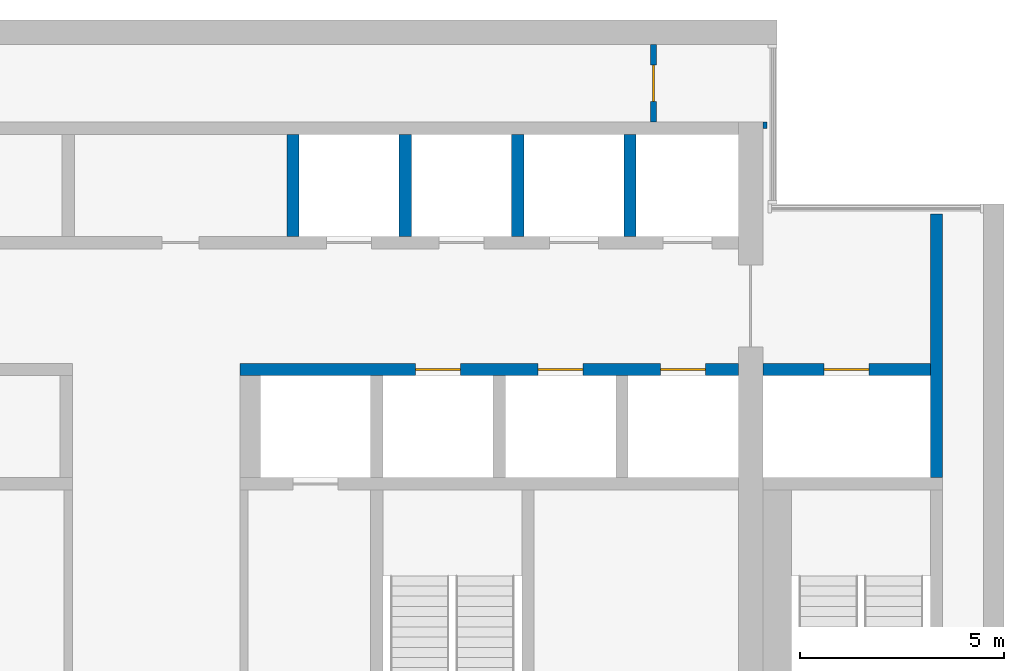
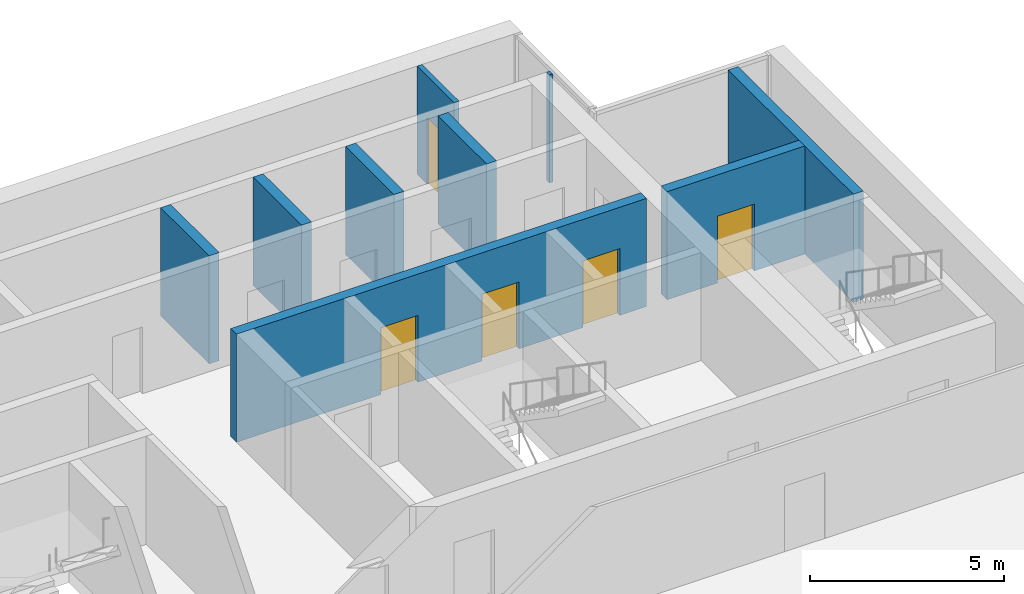
# One storey, part 11 of 14: 9 walls, 5 doors, 5 openings.
"""IFC4 building model written with IfcOpenShell, lengths in metres."""

from ifc_helpers import new_model, si_unit, direction, frame, frame_2d, origin, place, context, subcontext, project, spatial, rectangle, extrude, material, layer, layer_set, type_object, element, fill, save


model = new_model("IFC4")

# Units and contexts
model_context = context("Model", 3, precision=1e-05, world=origin(), true_north=direction((0.0, 1.0)))
body_context = subcontext(model_context, "Body", "Model", "MODEL_VIEW")
ifc_project = project(units=[si_unit("LENGTHUNIT", "METRE"), si_unit("AREAUNIT", "SQUARE_METRE"), si_unit("VOLUMEUNIT", "CUBIC_METRE"), si_unit("PLANEANGLEUNIT", "RADIAN"), si_unit("MASSUNIT", "GRAM", prefix="KILO")], contexts=[model_context])

# Site, building, storey
site_placement = place(None, origin())
site = spatial("IfcSite", under=ifc_project, at=site_placement, CompositionType="ELEMENT")
building_placement = place(site_placement, origin())
building = spatial("IfcBuilding", under=site, at=building_placement, Name="Calvaro Tower", CompositionType="ELEMENT")
storey_placement = place(building_placement, frame((0.0, 0.0, 250.75)))
storey = spatial("IfcBuildingStorey", under=building, at=storey_placement, Name="L63", CompositionType="ELEMENT", Elevation=250.75)

# Wall
ifc_material_1 = material(Name="Blockwork partition", Category="masonry")
ifc_layer_1 = layer(ifc_material_1, 0.10009765625)
ifc_layer_set_1 = layer_set([ifc_layer_1], Name="Blockwork partition")
wall_type_1 = type_object("IfcWallType", Name="Core partition 100 EI 60", PredefinedType="PARTITIONING", material=ifc_layer_set_1)
wall_1_placement = place(storey_placement, frame((60.14990234375, 43.35009765625, 0.0), z_axis=(0.0, 0.0, 1.0), x_axis=(0.0, 1.0, 0.0)))
element("IfcWall", 1, at=wall_1_placement, inside=storey, type_object=wall_type_1, Name="Core partition", PredefinedType="PARTITIONING", context=body_context, shape_type="SweptSolid", body=[
    extrude(rectangle(XDim=0.14990234375, YDim=0.10009765625, at=frame_2d((0.074951171875, 0.0))), origin(), (0.0, 0.0, 1.0), 3.39990234375),
])

# Wall, opening, door
ifc_material_2 = material(Name="Blockwork partition", Category="masonry")
ifc_layer_2 = layer(ifc_material_2, 0.14990234375)
ifc_layer_set_2 = layer_set([ifc_layer_2], Name="Blockwork partition")
wall_type_2 = type_object("IfcWallType", Name="Core partition 150 EI 60", PredefinedType="PARTITIONING", material=ifc_layer_set_2)
wall_2_placement = place(storey_placement, frame((57.425048828125, 45.39990234375, 0.0), z_axis=(0.0, 0.0, 1.0), x_axis=(0.0, -1.0, 0.0)))
wall_2 = element("IfcWall", 2, at=wall_2_placement, inside=storey, type_object=wall_type_2, Name="Core partition", PredefinedType="PARTITIONING", context=body_context, shape_type="SweptSolid", body=[
    extrude(rectangle(XDim=1.89990234375, YDim=0.14990234375, at=frame_2d((0.949951171875, 0.0))), origin(), (0.0, 0.0, 1.0), 3.39990234375),
])
opening_1_placement = place(wall_2_placement, frame((0.5, 0.0, 0.0)))
opening_1 = element("IfcOpeningElement", 3, at=opening_1_placement, cuts=wall_2, Name="Opening RD9C", PredefinedType="OPENING", context=body_context, shape_type="SweptSolid", body=[
    extrude(rectangle(XDim=0.89990234375, YDim=2.10009765625, at=frame_2d((0.449951171875, 1.050048828125))), frame((0.0, 0.0849609375, 0.0), z_axis=(0.0, -1.0, 0.0), x_axis=(1.0, 0.0, 0.0)), (0.0, 0.0, 1.0), 0.169921875),
])
ifc_material_3 = material(Name="Steel door set", Category="steel")
door_type_1 = type_object("IfcDoorType", Name="Room door 900 FD30", OperationType="SINGLE_SWING_LEFT", PredefinedType="DOOR", material=ifc_material_3)
door_1_placement = place(opening_1_placement, origin())
door_1 = element("IfcDoor", 4, at=door_1_placement, inside=storey, type_object=door_type_1, Name="Room door", OperationType="SINGLE_SWING_LEFT", OverallHeight=2.10009765625, OverallWidth=0.89990234375, PredefinedType="DOOR", context=body_context, shape_type="SweptSolid", body=[
    extrude(rectangle(XDim=0.89990234375, YDim=2.10009765625, at=frame_2d((0.449951171875, 1.050048828125))), frame((0.0, 0.02490234375, 0.0), z_axis=(0.0, -1.0, 0.0), x_axis=(1.0, 0.0, 0.0)), (0.0, 0.0, 1.0), 0.050048828125),
])
fill(opening_1, door_1)

# Wall
ifc_material_4 = material(Name="Concrete C40/50", Category="concrete")
ifc_layer_3 = layer(ifc_material_4, 0.300048828125)
ifc_layer_set_3 = layer_set([ifc_layer_3], Name="Concrete C40/50")
wall_type_3 = type_object("IfcWallType", Name="Core wall C40/50 300", PredefinedType="SHEAR", material=ifc_layer_set_3)
wall_3_placement = place(storey_placement, frame((64.35009765625, 34.800048828125, 0.0), z_axis=(0.0, 0.0, 1.0), x_axis=(0.0, 1.0, 0.0)))
element("IfcWall", 5, at=wall_3_placement, inside=storey, type_object=wall_type_3, Name="Core wall, boundary", PredefinedType="SHEAR", context=body_context, shape_type="SweptSolid", body=[
    extrude(rectangle(XDim=6.449951171875, YDim=0.300048828125, at=frame_2d((3.22509765625, 0.0))), origin(), (0.0, 0.0, 1.0), 3.39990234375),
])

# Wall, openings, doors
wall_4_placement = place(storey_placement, frame((47.300048828125, 37.449951171875, 0.0), z_axis=(0.0, 0.0, 1.0), x_axis=(1.0, 0.0, 0.0)))
wall_4 = element("IfcWall", 6, at=wall_4_placement, inside=storey, type_object=wall_type_3, Name="Core wall, lift shaft", PredefinedType="SHEAR", context=body_context, shape_type="SweptSolid", body=[
    extrude(rectangle(XDim=12.199951171875, YDim=0.300048828125, at=frame_2d((6.10009765625, 0.0))), origin(), (0.0, 0.0, 1.0), 3.39990234375),
])
opening_2_placement = place(wall_4_placement, frame((4.300048828125, 0.0, 0.0)))
opening_2 = element("IfcOpeningElement", 7, at=opening_2_placement, cuts=wall_4, Name="Opening HR1", PredefinedType="OPENING", context=body_context, shape_type="SweptSolid", body=[
    extrude(rectangle(XDim=1.10009765625, YDim=2.10009765625, at=frame_2d((0.550048828125, 1.050048828125))), frame((0.0, 0.159912109375, 0.0), z_axis=(0.0, -1.0, 0.0), x_axis=(1.0, 0.0, 0.0)), (0.0, 0.0, 1.0), 0.320068359375),
])
opening_3_placement = place(wall_4_placement, frame((7.300048828125, 0.0, 0.0)))
opening_3 = element("IfcOpeningElement", 8, at=opening_3_placement, cuts=wall_4, Name="Opening HR2", PredefinedType="OPENING", context=body_context, shape_type="SweptSolid", body=[
    extrude(rectangle(XDim=1.10009765625, YDim=2.10009765625, at=frame_2d((0.550048828125, 1.050048828125))), frame((0.0, 0.159912109375, 0.0), z_axis=(0.0, -1.0, 0.0), x_axis=(1.0, 0.0, 0.0)), (0.0, 0.0, 1.0), 0.320068359375),
])
opening_4_placement = place(wall_4_placement, frame((10.300048828125, 0.0, 0.0)))
opening_4 = element("IfcOpeningElement", 9, at=opening_4_placement, cuts=wall_4, Name="Opening HR3", PredefinedType="OPENING", context=body_context, shape_type="SweptSolid", body=[
    extrude(rectangle(XDim=1.10009765625, YDim=2.10009765625, at=frame_2d((0.550048828125, 1.050048828125))), frame((0.0, 0.159912109375, 0.0), z_axis=(0.0, -1.0, 0.0), x_axis=(1.0, 0.0, 0.0)), (0.0, 0.0, 1.0), 0.320068359375),
])
ifc_material_5 = material(Name="Stainless steel", Category="steel")
door_type_2 = type_object("IfcDoorType", Name="Landing door 1100 E 60", OperationType="SLIDING_TO_LEFT", PredefinedType="DOOR", material=ifc_material_5)
door_2_placement = place(opening_2_placement, origin())
door_2 = element("IfcDoor", 10, at=door_2_placement, inside=storey, type_object=door_type_2, Name="Landing door HR1", OperationType="SLIDING_TO_LEFT", OverallHeight=2.10009765625, OverallWidth=1.10009765625, PredefinedType="DOOR", context=body_context, shape_type="SweptSolid", body=[
    extrude(rectangle(XDim=1.10009765625, YDim=2.10009765625, at=frame_2d((0.550048828125, 1.050048828125))), frame((0.0, 0.02490234375, 0.0), z_axis=(0.0, -1.0, 0.0), x_axis=(1.0, 0.0, 0.0)), (0.0, 0.0, 1.0), 0.050048828125),
])
fill(opening_2, door_2)
door_3_placement = place(opening_3_placement, origin())
door_3 = element("IfcDoor", 11, at=door_3_placement, inside=storey, type_object=door_type_2, Name="Landing door HR2", OperationType="SLIDING_TO_LEFT", OverallHeight=2.10009765625, OverallWidth=1.10009765625, PredefinedType="DOOR", context=body_context, shape_type="SweptSolid", body=[
    extrude(rectangle(XDim=1.10009765625, YDim=2.10009765625, at=frame_2d((0.550048828125, 1.050048828125))), frame((0.0, 0.02490234375, 0.0), z_axis=(0.0, -1.0, 0.0), x_axis=(1.0, 0.0, 0.0)), (0.0, 0.0, 1.0), 0.050048828125),
])
fill(opening_3, door_3)
door_4_placement = place(opening_4_placement, origin())
door_4 = element("IfcDoor", 12, at=door_4_placement, inside=storey, type_object=door_type_2, Name="Landing door HR3", OperationType="SLIDING_TO_LEFT", OverallHeight=2.10009765625, OverallWidth=1.10009765625, PredefinedType="DOOR", context=body_context, shape_type="SweptSolid", body=[
    extrude(rectangle(XDim=1.10009765625, YDim=2.10009765625, at=frame_2d((0.550048828125, 1.050048828125))), frame((0.0, 0.02490234375, 0.0), z_axis=(0.0, -1.0, 0.0), x_axis=(1.0, 0.0, 0.0)), (0.0, 0.0, 1.0), 0.050048828125),
])
fill(opening_4, door_4)

# Wall, opening, door
wall_5_placement = place(storey_placement, frame((60.10009765625, 37.449951171875, 0.0), z_axis=(0.0, 0.0, 1.0), x_axis=(1.0, 0.0, 0.0)))
wall_5 = element("IfcWall", 13, at=wall_5_placement, inside=storey, type_object=wall_type_3, Name="Core wall, lift shaft", PredefinedType="SHEAR", context=body_context, shape_type="SweptSolid", body=[
    extrude(rectangle(XDim=4.099853515625, YDim=0.300048828125, at=frame_2d((2.0498046875, 0.0))), origin(), (0.0, 0.0, 1.0), 3.39990234375),
])
opening_5_placement = place(wall_5_placement, frame((1.5, 0.0, 0.0)))
opening_5 = element("IfcOpeningElement", 14, at=opening_5_placement, cuts=wall_5, Name="Opening FF3", PredefinedType="OPENING", context=body_context, shape_type="SweptSolid", body=[
    extrude(rectangle(XDim=1.10009765625, YDim=2.10009765625, at=frame_2d((0.550048828125, 1.050048828125))), frame((0.0, 0.159912109375, 0.0), z_axis=(0.0, -1.0, 0.0), x_axis=(1.0, 0.0, 0.0)), (0.0, 0.0, 1.0), 0.320068359375),
])
door_5_placement = place(opening_5_placement, origin())
door_5 = element("IfcDoor", 15, at=door_5_placement, inside=storey, type_object=door_type_2, Name="Landing door FF3", OperationType="SLIDING_TO_LEFT", OverallHeight=2.10009765625, OverallWidth=1.10009765625, PredefinedType="DOOR", context=body_context, shape_type="SweptSolid", body=[
    extrude(rectangle(XDim=1.10009765625, YDim=2.10009765625, at=frame_2d((0.550048828125, 1.050048828125))), frame((0.0, 0.02490234375, 0.0), z_axis=(0.0, -1.0, 0.0), x_axis=(1.0, 0.0, 0.0)), (0.0, 0.0, 1.0), 0.050048828125),
])
fill(opening_5, door_5)

# Walls
for number, where, z_axis, x_axis, name in (
    (16, (48.60009765625, 40.699951171875, 0.0), (0.0, 0.0, 1.0), (0.0, 1.0, 0.0), "Core wall, lift shaft"),
    (17, (51.35009765625, 40.699951171875, 0.0), (0.0, 0.0, 1.0), (0.0, 1.0, 0.0), "Core wall, lift shaft"),
    (18, (54.10009765625, 40.699951171875, 0.0), (0.0, 0.0, 1.0), (0.0, 1.0, 0.0), "Core wall, lift shaft"),
    (19, (56.85009765625, 40.699951171875, 0.0), (0.0, 0.0, 1.0), (0.0, 1.0, 0.0), "Core wall, lift shaft"),
):
    element("IfcWall", number, at=place(storey_placement, frame(where, z_axis=z_axis, x_axis=x_axis)), inside=storey, type_object=wall_type_3, Name=name, PredefinedType="SHEAR", context=body_context, shape_type="SweptSolid", body=[
        extrude(rectangle(XDim=2.5, YDim=0.300048828125, at=frame_2d((1.25, 0.0))), origin(), (0.0, 0.0, 1.0), 3.39990234375),
    ])

save(model, "model.ifc")
